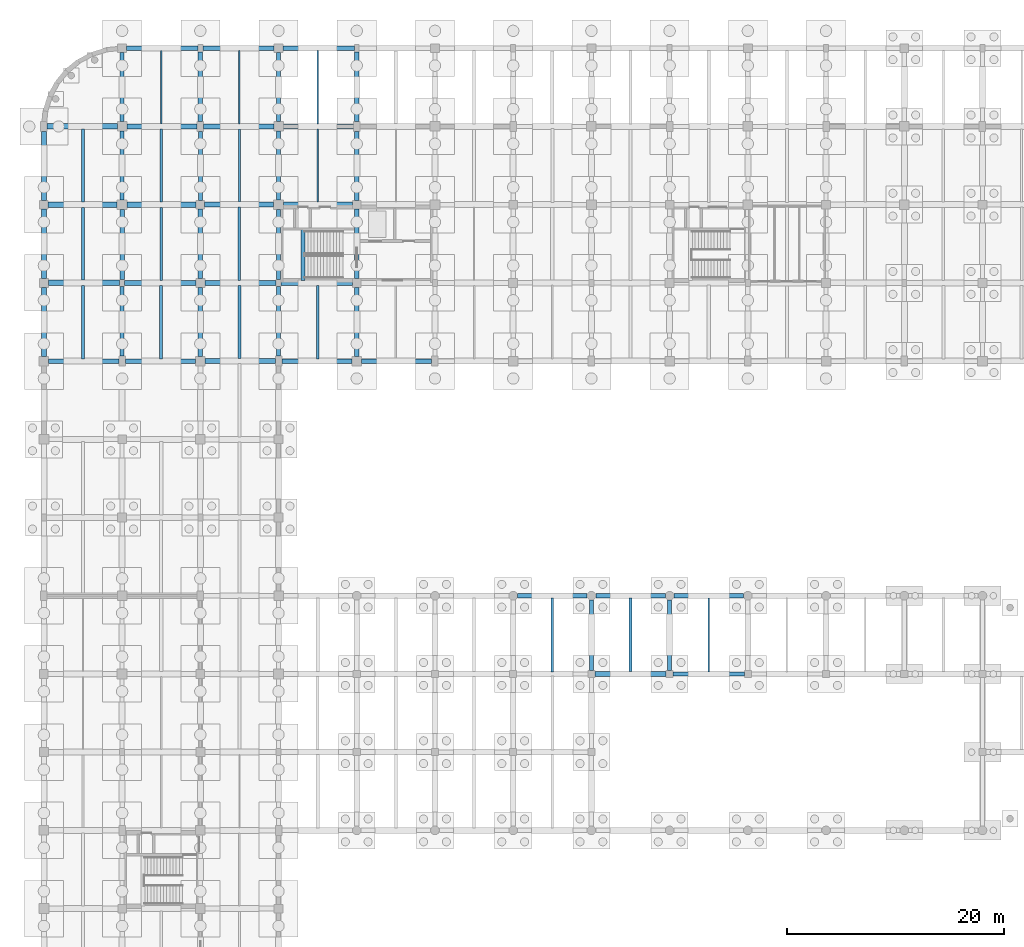
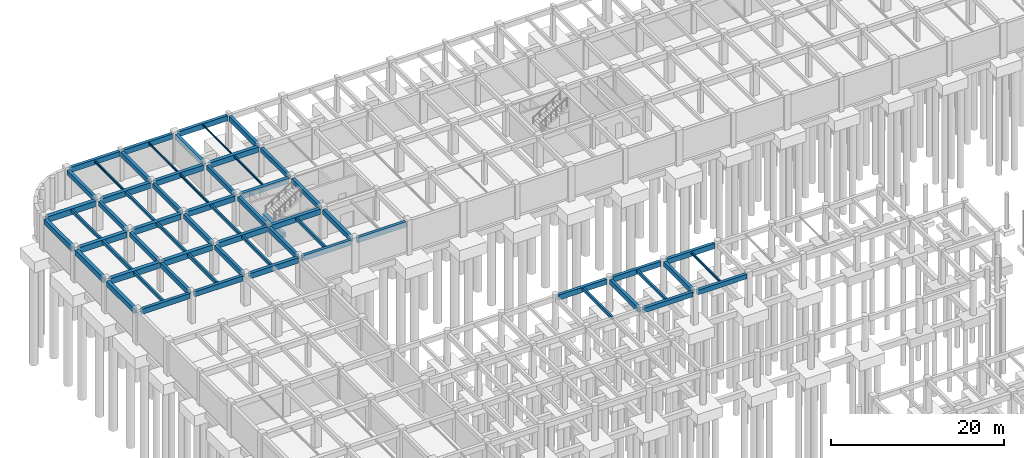
# One storey, part 29 of 47: 64 beams.
"""IFC4 building model written with IfcOpenShell, lengths in metres."""

from ifc_helpers import new_model, si_unit, direction, frame, origin, origin_2d, place, context, subcontext, project, spatial, rectangle, i_section, extrude, material, material_profile, profile_set, type_object, element, save


model = new_model("IFC4")

# Units and contexts
model_context = context("Model", 3, precision=1e-05, world=origin(), true_north=direction((0.0, 1.0)))
body_context = subcontext(model_context, "Body", "Model", "MODEL_VIEW")
ifc_project = project(units=[si_unit("LENGTHUNIT", "METRE"), si_unit("AREAUNIT", "SQUARE_METRE"), si_unit("VOLUMEUNIT", "CUBIC_METRE"), si_unit("PLANEANGLEUNIT", "RADIAN"), si_unit("MASSUNIT", "GRAM", prefix="KILO")], contexts=[model_context])

# Site, building, storey
site_placement = place(None, origin())
site = spatial("IfcSite", under=ifc_project, at=site_placement, CompositionType="ELEMENT")
building_placement = place(site_placement, origin())
building = spatial("IfcBuilding", under=site, at=building_placement, Name="Thalmaran Polytechnic", CompositionType="ELEMENT")
storey_placement = place(building_placement, frame((0.0, 0.0, -4.5)))
storey = spatial("IfcBuildingStorey", under=building, at=storey_placement, Name="B1", CompositionType="ELEMENT", Elevation=-4.5)

# Beams
ifc_material_1 = material(Name="Concrete C40/50", Category="concrete")
ifc_material_profile_1 = material_profile(ifc_material_1, rectangle(XDim=0.5, YDim=0.800048828125, at=origin_2d()), Name="RC 500x800")
ifc_profile_set_1 = profile_set([ifc_material_profile_1], Name="Concrete C40/50")
beam_type_1 = type_object("IfcBeamType", Name="BM-RC02", PredefinedType="BEAM", material=ifc_profile_set_1)
beam_1_placement = place(storey_placement, frame((0.409912109375, 100.800048828125, 3.77001953125), z_axis=(1.0, 0.0, 0.0), x_axis=(0.0, 1.0, 0.0)))
element("IfcBeam", 1, at=beam_1_placement, inside=storey, type_object=beam_type_1, Name="Grid Beam B02 B1 X(0,14)", PredefinedType="BEAM", context=body_context, shape_type="SweptSolid", body=[
    extrude(rectangle(XDim=0.5, YDim=0.800048828125, at=origin_2d()), origin(), (0.0, 0.0, 1.0), 6.565185546875),
])
beam_2_placement = place(storey_placement, frame((0.39990234375, 108.0, 3.77001953125), z_axis=(1.0, 0.0, 0.0), x_axis=(0.0, 1.0, 0.0)))
element("IfcBeam", 2, at=beam_2_placement, inside=storey, type_object=beam_type_1, Name="Grid Beam B02 B1 X(0,15)", PredefinedType="BEAM", context=body_context, shape_type="SweptSolid", body=[
    extrude(rectangle(XDim=0.5, YDim=0.800048828125, at=origin_2d()), origin(), (0.0, 0.0, 1.0), 6.35009765625),
])
beam_3_placement = place(storey_placement, frame((0.300048828125, 115.199951171875, 3.77001953125), z_axis=(1.0, 0.0, 0.0), x_axis=(0.0, 1.0, 0.0)))
element("IfcBeam", 3, at=beam_3_placement, inside=storey, type_object=beam_type_1, Name="Grid Beam B02 B1 X(0,16)", PredefinedType="BEAM", context=body_context, shape_type="SweptSolid", body=[
    extrude(rectangle(XDim=0.5, YDim=0.800048828125, at=origin_2d()), origin(), (0.0, 0.0, 1.0), 6.4599609375),
])
ifc_material_profile_2 = material_profile(ifc_material_1, rectangle(XDim=0.449951171875, YDim=0.75, at=origin_2d()), Name="RC 450x750")
ifc_profile_set_2 = profile_set([ifc_material_profile_2], Name="Concrete C40/50")
beam_type_2 = type_object("IfcBeamType", Name="BM-RC03", PredefinedType="BEAM", material=ifc_profile_set_2)
beam_4_placement = place(storey_placement, frame((14.840087890625, 93.60009765625, 3.794921875), z_axis=(1.0, 0.0, 0.0), x_axis=(0.0, 1.0, 0.0)))
element("IfcBeam", 4, at=beam_4_placement, inside=storey, type_object=beam_type_2, Name="Grid Beam B03 B1 X(2,13)", PredefinedType="BEAM", context=body_context, shape_type="SweptSolid", body=[
    extrude(rectangle(XDim=0.449951171875, YDim=0.75, at=origin_2d()), origin(), (0.0, 0.0, 1.0), 6.4599609375),
])
beam_5_placement = place(storey_placement, frame((14.81005859375, 100.800048828125, 3.794921875), z_axis=(1.0, 0.0, 0.0), x_axis=(0.0, 1.0, 0.0)))
element("IfcBeam", 5, at=beam_5_placement, inside=storey, type_object=beam_type_2, Name="Grid Beam B03 B1 X(2,14)", PredefinedType="BEAM", context=body_context, shape_type="SweptSolid", body=[
    extrude(rectangle(XDim=0.449951171875, YDim=0.75, at=origin_2d()), origin(), (0.0, 0.0, 1.0), 6.56494140625),
])
beam_6_placement = place(storey_placement, frame((14.800048828125, 108.0, 3.794921875), z_axis=(1.0, 0.0, 0.0), x_axis=(0.0, 1.0, 0.0)))
element("IfcBeam", 6, at=beam_6_placement, inside=storey, type_object=beam_type_2, Name="Grid Beam B03 B1 X(2,15)", PredefinedType="BEAM", context=body_context, shape_type="SweptSolid", body=[
    extrude(rectangle(XDim=0.449951171875, YDim=0.75, at=origin_2d()), origin(), (0.0, 0.0, 1.0), 6.349853515625),
])
beam_7_placement = place(storey_placement, frame((14.699951171875, 115.199951171875, 3.794921875), z_axis=(1.0, 0.0, 0.0), x_axis=(0.0, 1.0, 0.0)))
element("IfcBeam", 7, at=beam_7_placement, inside=storey, type_object=beam_type_2, Name="Grid Beam B03 B1 X(2,16)", PredefinedType="BEAM", context=body_context, shape_type="SweptSolid", body=[
    extrude(rectangle(XDim=0.449951171875, YDim=0.75, at=origin_2d()), origin(), (0.0, 0.0, 1.0), 6.4599609375),
])
ifc_material_profile_3 = material_profile(ifc_material_1, rectangle(XDim=0.39990234375, YDim=0.64990234375, at=origin_2d()), Name="RC 400x650")
ifc_profile_set_3 = profile_set([ifc_material_profile_3], Name="Concrete C40/50")
beam_type_3 = type_object("IfcBeamType", Name="BM-RC06", PredefinedType="BEAM", material=ifc_profile_set_3)
beam_8_placement = place(storey_placement, frame((57.925048828125, 64.800048828125, 3.864990234375), z_axis=(1.0, 0.0, 0.0), x_axis=(0.0, 1.0, 0.0)))
element("IfcBeam", 8, at=beam_8_placement, inside=storey, type_object=beam_type_3, Name="Grid Beam B06 B1 X(8,9)", PredefinedType="BEAM", context=body_context, shape_type="SweptSolid", body=[
    extrude(rectangle(XDim=0.39990234375, YDim=0.64990234375, at=origin_2d()), origin(), (0.0, 0.0, 1.0), 6.550048828125),
])
ifc_material_profile_4 = material_profile(ifc_material_1, rectangle(XDim=0.39990234375, YDim=0.6298828125, at=origin_2d()), Name="RC 400x630")
ifc_profile_set_4 = profile_set([ifc_material_profile_4], Name="Concrete C40/50")
beam_type_4 = type_object("IfcBeamType", Name="BM-RC07", PredefinedType="BEAM", material=ifc_profile_set_4)
beam_9_placement = place(storey_placement, frame((7.199951171875, 101.125, 3.85498046875), z_axis=(0.0, 1.0, 0.0), x_axis=(-1.0, 0.0, 0.0)))
element("IfcBeam", 9, at=beam_9_placement, inside=storey, type_object=beam_type_4, Name="Grid Beam B07 B1 Y(1,14)", PredefinedType="BEAM", context=body_context, shape_type="SweptSolid", body=[
    extrude(rectangle(XDim=0.39990234375, YDim=0.6298828125, at=origin_2d()), origin(), (0.0, 0.0, 1.0), 6.425048828125),
])
beam_10_placement = place(storey_placement, frame((14.39990234375, 101.2099609375, 3.85498046875), z_axis=(0.0, 1.0, 0.0), x_axis=(-1.0, 0.0, 0.0)))
element("IfcBeam", 10, at=beam_10_placement, inside=storey, type_object=beam_type_4, Name="Grid Beam B07 B1 Y(2,14)", PredefinedType="BEAM", context=body_context, shape_type="SweptSolid", body=[
    extrude(rectangle(XDim=0.39990234375, YDim=0.6298828125, at=origin_2d()), origin(), (0.0, 0.0, 1.0), 6.39013671875),
])
beam_11_placement = place(storey_placement, frame((21.60009765625, 101.125, 3.85498046875), z_axis=(0.0, 1.0, 0.0), x_axis=(-1.0, 0.0, 0.0)))
element("IfcBeam", 11, at=beam_11_placement, inside=storey, type_object=beam_type_4, Name="Grid Beam B07 B1 Y(3,14)", PredefinedType="BEAM", context=body_context, shape_type="SweptSolid", body=[
    extrude(rectangle(XDim=0.39990234375, YDim=0.6298828125, at=origin_2d()), origin(), (0.0, 0.0, 1.0), 6.425048828125),
])
beam_12_placement = place(storey_placement, frame((28.800048828125, 101.2099609375, 3.85498046875), z_axis=(0.0, 1.0, 0.0), x_axis=(-1.0, 0.0, 0.0)))
element("IfcBeam", 12, at=beam_12_placement, inside=storey, type_object=beam_type_4, Name="Grid Beam B07 B1 Y(4,14)", PredefinedType="BEAM", context=body_context, shape_type="SweptSolid", body=[
    extrude(rectangle(XDim=0.39990234375, YDim=0.6298828125, at=origin_2d()), origin(), (0.0, 0.0, 1.0), 6.39013671875),
])
ifc_material_profile_5 = material_profile(ifc_material_1, rectangle(XDim=0.389892578125, YDim=0.68505859375, at=origin_2d()), Name="RC 390x685")
ifc_profile_set_5 = profile_set([ifc_material_profile_5], Name="Concrete C40/50")
beam_type_5 = type_object("IfcBeamType", Name="BM-RC08", PredefinedType="BEAM", material=ifc_profile_set_5)
beam_13_placement = place(storey_placement, frame((7.199951171875, 115.639892578125, 3.827392578125), z_axis=(0.0, 1.0, 0.0), x_axis=(-1.0, 0.0, 0.0)))
element("IfcBeam", 13, at=beam_13_placement, inside=storey, type_object=beam_type_5, Name="Grid Beam B08 B1 Y(1,16)", PredefinedType="BEAM", context=body_context, shape_type="SweptSolid", body=[
    extrude(rectangle(XDim=0.389892578125, YDim=0.68505859375, at=origin_2d()), origin(), (0.0, 0.0, 1.0), 6.35009765625),
])
beam_14_placement = place(storey_placement, frame((14.39990234375, 115.64990234375, 3.827392578125), z_axis=(0.0, 1.0, 0.0), x_axis=(-1.0, 0.0, 0.0)))
element("IfcBeam", 14, at=beam_14_placement, inside=storey, type_object=beam_type_5, Name="Grid Beam B08 B1 Y(2,16)", PredefinedType="BEAM", context=body_context, shape_type="SweptSolid", body=[
    extrude(rectangle(XDim=0.389892578125, YDim=0.68505859375, at=origin_2d()), origin(), (0.0, 0.0, 1.0), 6.425048828125),
])
beam_15_placement = place(storey_placement, frame((21.60009765625, 115.639892578125, 3.827392578125), z_axis=(0.0, 1.0, 0.0), x_axis=(-1.0, 0.0, 0.0)))
element("IfcBeam", 15, at=beam_15_placement, inside=storey, type_object=beam_type_5, Name="Grid Beam B08 B1 Y(3,16)", PredefinedType="BEAM", context=body_context, shape_type="SweptSolid", body=[
    extrude(rectangle(XDim=0.389892578125, YDim=0.68505859375, at=origin_2d()), origin(), (0.0, 0.0, 1.0), 6.35009765625),
])
beam_16_placement = place(storey_placement, frame((28.800048828125, 115.64990234375, 3.827392578125), z_axis=(0.0, 1.0, 0.0), x_axis=(-1.0, 0.0, 0.0)))
element("IfcBeam", 16, at=beam_16_placement, inside=storey, type_object=beam_type_5, Name="Grid Beam B08 B1 Y(4,16)", PredefinedType="BEAM", context=body_context, shape_type="SweptSolid", body=[
    extrude(rectangle(XDim=0.389892578125, YDim=0.68505859375, at=origin_2d()), origin(), (0.0, 0.0, 1.0), 6.425048828125),
])
for number, where, z_axis, x_axis, name in (
    (17, (50.39990234375, 65.125, 3.847412109375), (0.0, 1.0, 0.0), (-1.0, 0.0, 0.0), "Grid Beam B08 B1 Y(7,9)"),
    (18, (57.60009765625, 65.125, 3.847412109375), (0.0, 1.0, 0.0), (-1.0, 0.0, 0.0), "Grid Beam B08 B1 Y(8,9)"),
):
    element("IfcBeam", number, at=place(storey_placement, frame(where, z_axis=z_axis, x_axis=x_axis)), inside=storey, type_object=beam_type_5, Name=name, PredefinedType="BEAM", context=body_context, shape_type="SweptSolid", body=[
        extrude(rectangle(XDim=0.389892578125, YDim=0.68505859375, at=origin_2d()), origin(), (0.0, 0.0, 1.0), 6.47509765625),
    ])
ifc_material_profile_6 = material_profile(ifc_material_1, rectangle(XDim=0.389892578125, YDim=0.695068359375, at=origin_2d()), Name="RC 390x695")
ifc_profile_set_6 = profile_set([ifc_material_profile_6], Name="Concrete C40/50")
beam_type_6 = type_object("IfcBeamType", Name="BM-RC10", PredefinedType="BEAM", material=ifc_profile_set_6)
beam_17_placement = place(storey_placement, frame((7.199951171875, 94.050048828125, 3.822509765625), z_axis=(0.0, 1.0, 0.0), x_axis=(-1.0, 0.0, 0.0)))
element("IfcBeam", 19, at=beam_17_placement, inside=storey, type_object=beam_type_6, Name="Grid Beam B10 B1 Y(1,13)", PredefinedType="BEAM", context=body_context, shape_type="SweptSolid", body=[
    extrude(rectangle(XDim=0.389892578125, YDim=0.695068359375, at=origin_2d()), origin(), (0.0, 0.0, 1.0), 6.425048828125),
])
beam_18_placement = place(storey_placement, frame((14.39990234375, 94.0400390625, 3.822509765625), z_axis=(0.0, 1.0, 0.0), x_axis=(-1.0, 0.0, 0.0)))
element("IfcBeam", 20, at=beam_18_placement, inside=storey, type_object=beam_type_6, Name="Grid Beam B10 B1 Y(2,13)", PredefinedType="BEAM", context=body_context, shape_type="SweptSolid", body=[
    extrude(rectangle(XDim=0.389892578125, YDim=0.695068359375, at=origin_2d()), origin(), (0.0, 0.0, 1.0), 6.349853515625),
])
beam_19_placement = place(storey_placement, frame((21.60009765625, 94.050048828125, 3.822509765625), z_axis=(0.0, 1.0, 0.0), x_axis=(-1.0, 0.0, 0.0)))
element("IfcBeam", 21, at=beam_19_placement, inside=storey, type_object=beam_type_6, Name="Grid Beam B10 B1 Y(3,13)", PredefinedType="BEAM", context=body_context, shape_type="SweptSolid", body=[
    extrude(rectangle(XDim=0.389892578125, YDim=0.695068359375, at=origin_2d()), origin(), (0.0, 0.0, 1.0), 6.425048828125),
])
beam_20_placement = place(storey_placement, frame((28.800048828125, 94.0400390625, 3.822509765625), z_axis=(0.0, 1.0, 0.0), x_axis=(-1.0, 0.0, 0.0)))
element("IfcBeam", 22, at=beam_20_placement, inside=storey, type_object=beam_type_6, Name="Grid Beam B10 B1 Y(4,13)", PredefinedType="BEAM", context=body_context, shape_type="SweptSolid", body=[
    extrude(rectangle(XDim=0.389892578125, YDim=0.695068359375, at=origin_2d()), origin(), (0.0, 0.0, 1.0), 6.349853515625),
])
beam_21_placement = place(storey_placement, frame((23.860107421875, 101.0400390625, 1.7900390625), z_axis=(0.0, 1.0, 0.0), x_axis=(-1.0, 0.0, 0.0)))
element("IfcBeam", 23, at=beam_21_placement, inside=storey, type_object=beam_type_6, Name="ST2 B1 Half-Landing Trimmer Beam", PredefinedType="BEAM", context=body_context, shape_type="SweptSolid", body=[
    extrude(rectangle(XDim=0.389892578125, YDim=0.695068359375, at=origin_2d()), origin(), (0.0, 0.0, 1.0), 4.699951171875),
])
ifc_material_profile_7 = material_profile(ifc_material_1, rectangle(XDim=0.280029296875, YDim=0.449951171875, at=origin_2d()), Name="RC 280x450")
ifc_profile_set_7 = profile_set([ifc_material_profile_7], Name="Concrete C40/50")
beam_type_7 = type_object("IfcBeamType", Name="BM-RC13", PredefinedType="JOIST", material=ifc_profile_set_7)
beam_22_placement = place(storey_placement, frame((3.60009765625, 101.050048828125, 3.945068359375), z_axis=(0.0, 1.0, 0.0), x_axis=(-1.0, 0.0, 0.0)))
element("IfcBeam", 24, at=beam_22_placement, inside=storey, type_object=beam_type_7, Name="Secondary Floor Rib RB03 B1 (0,14)", PredefinedType="JOIST", context=body_context, shape_type="SweptSolid", body=[
    extrude(rectangle(XDim=0.280029296875, YDim=0.449951171875, at=origin_2d()), origin(), (0.0, 0.0, 1.0), 6.699951171875),
])
beam_23_placement = place(storey_placement, frame((10.800048828125, 93.800048828125, 3.945068359375), z_axis=(0.0, 1.0, 0.0), x_axis=(-1.0, 0.0, 0.0)))
element("IfcBeam", 25, at=beam_23_placement, inside=storey, type_object=beam_type_7, Name="Secondary Floor Rib RB03 B1 (1,13)", PredefinedType="JOIST", context=body_context, shape_type="SweptSolid", body=[
    extrude(rectangle(XDim=0.280029296875, YDim=0.449951171875, at=origin_2d()), origin(), (0.0, 0.0, 1.0), 6.760009765625),
])
ifc_material_2 = material(Name="Steel S355", Category="steel")
ifc_material_profile_8 = material_profile(ifc_material_2, i_section(OverallWidth=0.159912109375, OverallDepth=0.330078125, WebThickness=0.007568359375, FlangeThickness=0.011474609375, at=origin_2d()), Name="IPE 330")
ifc_profile_set_8 = profile_set([ifc_material_profile_8], Name="Steel S355")
beam_type_8 = type_object("IfcBeamType", Name="BM-SJ02", PredefinedType="JOIST", material=ifc_profile_set_8)
beam_24_placement = place(storey_placement, frame((10.800048828125, 115.43994140625, 4.0048828125), z_axis=(0.0, 1.0, 0.0), x_axis=(-1.0, 0.0, 0.0)))
element("IfcBeam", 26, at=beam_24_placement, inside=storey, type_object=beam_type_8, Name="Secondary Floor Rib SJ02 B1 (1,16)", PredefinedType="JOIST", context=body_context, shape_type="SweptSolid", body=[
    extrude(i_section(OverallWidth=0.159912109375, OverallDepth=0.330078125, WebThickness=0.007568359375, FlangeThickness=0.011474609375, at=origin_2d()), origin(), (0.0, 0.0, 1.0), 6.760009765625),
])
beam_25_placement = place(storey_placement, frame((18.0, 108.22509765625, 4.0048828125), z_axis=(0.0, 1.0, 0.0), x_axis=(-1.0, 0.0, 0.0)))
element("IfcBeam", 27, at=beam_25_placement, inside=storey, type_object=beam_type_8, Name="Secondary Floor Rib SJ02 B1 (2,15)", PredefinedType="JOIST", context=body_context, shape_type="SweptSolid", body=[
    extrude(i_section(OverallWidth=0.159912109375, OverallDepth=0.330078125, WebThickness=0.007568359375, FlangeThickness=0.011474609375, at=origin_2d()), origin(), (0.0, 0.0, 1.0), 6.75),
])
beam_26_placement = place(storey_placement, frame((61.199951171875, 65.0, 4.02490234375), z_axis=(0.0, 1.0, 0.0), x_axis=(-1.0, 0.0, 0.0)))
element("IfcBeam", 28, at=beam_26_placement, inside=storey, type_object=beam_type_8, Name="Secondary Floor Rib SJ02 B1 (8,9)", PredefinedType="JOIST", context=body_context, shape_type="SweptSolid", body=[
    extrude(i_section(OverallWidth=0.159912109375, OverallDepth=0.330078125, WebThickness=0.007568359375, FlangeThickness=0.011474609375, at=origin_2d()), origin(), (0.0, 0.0, 1.0), 6.800048828125),
])
ifc_material_profile_9 = material_profile(ifc_material_2, i_section(OverallWidth=0.135009765625, OverallDepth=0.27001953125, WebThickness=0.006591796875, FlangeThickness=0.01025390625, at=origin_2d()), Name="IPE 270")
ifc_profile_set_9 = profile_set([ifc_material_profile_9], Name="Steel S355")
beam_type_9 = type_object("IfcBeamType", Name="BM-SJ03", PredefinedType="JOIST", material=ifc_profile_set_9)
beam_27_placement = place(storey_placement, frame((18.0, 115.425048828125, 4.034912109375), z_axis=(0.0, 1.0, 0.0), x_axis=(-1.0, 0.0, 0.0)))
element("IfcBeam", 29, at=beam_27_placement, inside=storey, type_object=beam_type_9, Name="Secondary Floor Rib SJ03 B1 (2,16)", PredefinedType="JOIST", context=body_context, shape_type="SweptSolid", body=[
    extrude(i_section(OverallWidth=0.135009765625, OverallDepth=0.27001953125, WebThickness=0.006591796875, FlangeThickness=0.01025390625, at=origin_2d()), origin(), (0.0, 0.0, 1.0), 6.77490234375),
])
beam_28_placement = place(storey_placement, frame((25.199951171875, 108.22998046875, 4.034912109375), z_axis=(0.0, 1.0, 0.0), x_axis=(-1.0, 0.0, 0.0)))
element("IfcBeam", 30, at=beam_28_placement, inside=storey, type_object=beam_type_9, Name="Secondary Floor Rib SJ03 B1 (3,15)", PredefinedType="JOIST", context=body_context, shape_type="SweptSolid", body=[
    extrude(i_section(OverallWidth=0.135009765625, OverallDepth=0.27001953125, WebThickness=0.006591796875, FlangeThickness=0.01025390625, at=origin_2d()), origin(), (0.0, 0.0, 1.0), 6.739990234375),
])
ifc_material_profile_10 = material_profile(ifc_material_2, i_section(OverallWidth=0.110107421875, OverallDepth=0.219970703125, WebThickness=0.005859375, FlangeThickness=0.00927734375, at=origin_2d()), Name="IPE 220")
ifc_profile_set_10 = profile_set([ifc_material_profile_10], Name="Steel S355")
beam_type_10 = type_object("IfcBeamType", Name="BM-SJ04", PredefinedType="JOIST", material=ifc_profile_set_10)
beam_29_placement = place(storey_placement, frame((25.199951171875, 115.429931640625, 4.06005859375), z_axis=(0.0, 1.0, 0.0), x_axis=(-1.0, 0.0, 0.0)))
element("IfcBeam", 31, at=beam_29_placement, inside=storey, type_object=beam_type_10, Name="Secondary Floor Rib SJ04 B1 (3,16)", PredefinedType="JOIST", context=body_context, shape_type="SweptSolid", body=[
    extrude(i_section(OverallWidth=0.110107421875, OverallDepth=0.219970703125, WebThickness=0.005859375, FlangeThickness=0.00927734375, at=origin_2d()), origin(), (0.0, 0.0, 1.0), 6.77001953125),
])
ifc_material_profile_11 = material_profile(ifc_material_1, rectangle(XDim=0.39990234375, YDim=0.719970703125, at=origin_2d()), Name="RC 400x720")
ifc_profile_set_11 = profile_set([ifc_material_profile_11], Name="Concrete C40/50")
beam_type_11 = type_object("IfcBeamType", Name="BM-SP01", PredefinedType="SPANDREL", material=ifc_profile_set_11)
for number, where, z_axis, x_axis, name in (
    (32, (0.43994140625, 93.60009765625, 3.81005859375), (1.0, 0.0, 0.0), (0.0, 1.0, 0.0), "Grid Beam SP01 B1 X(0,13)"),
    (33, (7.5, 93.60009765625, 3.81005859375), (1.0, 0.0, 0.0), (0.0, 1.0, 0.0), "Grid Beam SP01 B1 X(1,13)"),
):
    element("IfcBeam", number, at=place(storey_placement, frame(where, z_axis=z_axis, x_axis=x_axis)), inside=storey, type_object=beam_type_11, Name=name, PredefinedType="SPANDREL", context=body_context, shape_type="SweptSolid", body=[
        extrude(rectangle(XDim=0.39990234375, YDim=0.719970703125, at=origin_2d()), origin(), (0.0, 0.0, 1.0), 6.4599609375),
    ])
for number, where, z_axis, x_axis, name in (
    (34, (7.610107421875, 122.39990234375, 3.81005859375), (1.0, 0.0, 0.0), (0.0, 1.0, 0.0), "Grid Beam SP01 B1 X(1,17)"),
    (35, (14.625, 122.39990234375, 3.81005859375), (1.0, 0.0, 0.0), (0.0, 1.0, 0.0), "Grid Beam SP01 B1 X(2,17)"),
):
    element("IfcBeam", number, at=place(storey_placement, frame(where, z_axis=z_axis, x_axis=x_axis)), inside=storey, type_object=beam_type_11, Name=name, PredefinedType="SPANDREL", context=body_context, shape_type="SweptSolid", body=[
        extrude(rectangle(XDim=0.39990234375, YDim=0.719970703125, at=origin_2d()), origin(), (0.0, 0.0, 1.0), 6.56494140625),
    ])
beam_30_placement = place(storey_placement, frame((21.89990234375, 93.60009765625, 3.81005859375), z_axis=(1.0, 0.0, 0.0), x_axis=(0.0, 1.0, 0.0)))
element("IfcBeam", 36, at=beam_30_placement, inside=storey, type_object=beam_type_11, Name="Grid Beam SP01 B1 X(3,13)", PredefinedType="SPANDREL", context=body_context, shape_type="SweptSolid", body=[
    extrude(rectangle(XDim=0.39990234375, YDim=0.719970703125, at=origin_2d()), origin(), (0.0, 0.0, 1.0), 6.460205078125),
])
beam_31_placement = place(storey_placement, frame((22.010009765625, 122.39990234375, 3.81005859375), z_axis=(1.0, 0.0, 0.0), x_axis=(0.0, 1.0, 0.0)))
element("IfcBeam", 37, at=beam_31_placement, inside=storey, type_object=beam_type_11, Name="Grid Beam SP01 B1 X(3,17)", PredefinedType="SPANDREL", context=body_context, shape_type="SweptSolid", body=[
    extrude(rectangle(XDim=0.39990234375, YDim=0.719970703125, at=origin_2d()), origin(), (0.0, 0.0, 1.0), 6.56494140625),
])
beam_32_placement = place(storey_placement, frame((29.239990234375, 93.60009765625, 3.81005859375), z_axis=(1.0, 0.0, 0.0), x_axis=(0.0, 1.0, 0.0)))
element("IfcBeam", 38, at=beam_32_placement, inside=storey, type_object=beam_type_11, Name="Grid Beam SP01 B1 X(4,13)", PredefinedType="SPANDREL", context=body_context, shape_type="SweptSolid", body=[
    extrude(rectangle(XDim=0.39990234375, YDim=0.719970703125, at=origin_2d()), origin(), (0.0, 0.0, 1.0), 6.4599609375),
])
for number, where, z_axis, x_axis, name in (
    (39, (43.60009765625, 72.0, 3.830078125), (1.0, 0.0, 0.0), (0.0, 1.0, 0.0), "Grid Beam SP01 B1 X(6,10)"),
    (40, (50.800048828125, 72.0, 3.830078125), (1.0, 0.0, 0.0), (0.0, 1.0, 0.0), "Grid Beam SP01 B1 X(7,10)"),
    (41, (58.0, 72.0, 3.830078125), (1.0, 0.0, 0.0), (0.0, 1.0, 0.0), "Grid Beam SP01 B1 X(8,10)"),
):
    element("IfcBeam", number, at=place(storey_placement, frame(where, z_axis=z_axis, x_axis=x_axis)), inside=storey, type_object=beam_type_11, Name=name, PredefinedType="SPANDREL", context=body_context, shape_type="SweptSolid", body=[
        extrude(rectangle(XDim=0.39990234375, YDim=0.719970703125, at=origin_2d()), origin(), (0.0, 0.0, 1.0), 6.39990234375),
    ])
ifc_material_profile_12 = material_profile(ifc_material_1, rectangle(XDim=0.449951171875, YDim=0.7548828125, at=origin_2d()), Name="RC 450x755")
ifc_profile_set_12 = profile_set([ifc_material_profile_12], Name="Concrete C40/50")
beam_type_12 = type_object("IfcBeamType", Name="BM-SP02", PredefinedType="SPANDREL", material=ifc_profile_set_12)
beam_33_placement = place(storey_placement, frame((0.0, 94.0400390625, 3.79248046875), z_axis=(0.0, 1.0, 0.0), x_axis=(-1.0, 0.0, 0.0)))
element("IfcBeam", 42, at=beam_33_placement, inside=storey, type_object=beam_type_12, Name="Grid Beam SP02 B1 Y(0,13)", PredefinedType="SPANDREL", context=body_context, shape_type="SweptSolid", body=[
    extrude(rectangle(XDim=0.449951171875, YDim=0.7548828125, at=origin_2d()), origin(), (0.0, 0.0, 1.0), 6.349853515625),
])
beam_34_placement = place(storey_placement, frame((0.0, 101.2099609375, 3.79248046875), z_axis=(0.0, 1.0, 0.0), x_axis=(-1.0, 0.0, 0.0)))
element("IfcBeam", 43, at=beam_34_placement, inside=storey, type_object=beam_type_12, Name="Grid Beam SP02 B1 Y(0,14)", PredefinedType="SPANDREL", context=body_context, shape_type="SweptSolid", body=[
    extrude(rectangle(XDim=0.449951171875, YDim=0.7548828125, at=origin_2d()), origin(), (0.0, 0.0, 1.0), 6.39013671875),
])
beam_35_placement = place(storey_placement, frame((0.0, 108.39990234375, 3.79248046875), z_axis=(0.0, 1.0, 0.0), x_axis=(-1.0, 0.0, 0.0)))
element("IfcBeam", 44, at=beam_35_placement, inside=storey, type_object=beam_type_12, Name="Grid Beam SP02 B1 Y(0,15)", PredefinedType="SPANDREL", context=body_context, shape_type="SweptSolid", body=[
    extrude(rectangle(XDim=0.449951171875, YDim=0.7548828125, at=origin_2d()), origin(), (0.0, 0.0, 1.0), 6.35009765625),
])
ifc_material_profile_13 = material_profile(ifc_material_1, rectangle(XDim=0.47998046875, YDim=0.780029296875, at=origin_2d()), Name="RC 480x780")
ifc_profile_set_13 = profile_set([ifc_material_profile_13], Name="Concrete C40/50")
beam_type_13 = type_object("IfcBeamType", Name="BM-ZB01", PredefinedType="BEAM", material=ifc_profile_set_13)
beam_36_placement = place(storey_placement, frame((7.425048828125, 100.800048828125, 3.780029296875), z_axis=(1.0, 0.0, 0.0), x_axis=(0.0, 1.0, 0.0)))
element("IfcBeam", 45, at=beam_36_placement, inside=storey, type_object=beam_type_13, Name="Grid Beam ZB01 B1 X(1,14)", PredefinedType="BEAM", context=body_context, shape_type="SweptSolid", body=[
    extrude(rectangle(XDim=0.47998046875, YDim=0.780029296875, at=origin_2d()), origin(), (0.0, 0.0, 1.0), 6.56494140625),
])
beam_37_placement = place(storey_placement, frame((7.64990234375, 108.0, 3.780029296875), z_axis=(1.0, 0.0, 0.0), x_axis=(0.0, 1.0, 0.0)))
element("IfcBeam", 46, at=beam_37_placement, inside=storey, type_object=beam_type_13, Name="Grid Beam ZB01 B1 X(1,15)", PredefinedType="BEAM", context=body_context, shape_type="SweptSolid", body=[
    extrude(rectangle(XDim=0.47998046875, YDim=0.780029296875, at=origin_2d()), origin(), (0.0, 0.0, 1.0), 6.35009765625),
])
beam_38_placement = place(storey_placement, frame((7.639892578125, 115.199951171875, 3.780029296875), z_axis=(1.0, 0.0, 0.0), x_axis=(0.0, 1.0, 0.0)))
element("IfcBeam", 47, at=beam_38_placement, inside=storey, type_object=beam_type_13, Name="Grid Beam ZB01 B1 X(1,16)", PredefinedType="BEAM", context=body_context, shape_type="SweptSolid", body=[
    extrude(rectangle(XDim=0.47998046875, YDim=0.780029296875, at=origin_2d()), origin(), (0.0, 0.0, 1.0), 6.460205078125),
])
ifc_material_profile_14 = material_profile(ifc_material_1, rectangle(XDim=0.4599609375, YDim=0.739990234375, at=origin_2d()), Name="RC 460x740")
ifc_profile_set_14 = profile_set([ifc_material_profile_14], Name="Concrete C40/50")
beam_type_14 = type_object("IfcBeamType", Name="BM-ZB02", PredefinedType="BEAM", material=ifc_profile_set_14)
beam_39_placement = place(storey_placement, frame((21.824951171875, 100.800048828125, 3.800048828125), z_axis=(1.0, 0.0, 0.0), x_axis=(0.0, 1.0, 0.0)))
element("IfcBeam", 48, at=beam_39_placement, inside=storey, type_object=beam_type_14, Name="Grid Beam ZB02 B1 X(3,14)", PredefinedType="BEAM", context=body_context, shape_type="SweptSolid", body=[
    extrude(rectangle(XDim=0.4599609375, YDim=0.739990234375, at=origin_2d()), origin(), (0.0, 0.0, 1.0), 6.56494140625),
])
beam_40_placement = place(storey_placement, frame((22.050048828125, 108.0, 3.800048828125), z_axis=(1.0, 0.0, 0.0), x_axis=(0.0, 1.0, 0.0)))
element("IfcBeam", 49, at=beam_40_placement, inside=storey, type_object=beam_type_14, Name="Grid Beam ZB02 B1 X(3,15)", PredefinedType="BEAM", context=body_context, shape_type="SweptSolid", body=[
    extrude(rectangle(XDim=0.4599609375, YDim=0.739990234375, at=origin_2d()), origin(), (0.0, 0.0, 1.0), 6.349853515625),
])
beam_41_placement = place(storey_placement, frame((22.0400390625, 115.199951171875, 3.800048828125), z_axis=(1.0, 0.0, 0.0), x_axis=(0.0, 1.0, 0.0)))
element("IfcBeam", 50, at=beam_41_placement, inside=storey, type_object=beam_type_14, Name="Grid Beam ZB02 B1 X(3,16)", PredefinedType="BEAM", context=body_context, shape_type="SweptSolid", body=[
    extrude(rectangle(XDim=0.4599609375, YDim=0.739990234375, at=origin_2d()), origin(), (0.0, 0.0, 1.0), 6.4599609375),
])
ifc_material_profile_15 = material_profile(ifc_material_1, rectangle(XDim=0.419921875, YDim=0.659912109375, at=origin_2d()), Name="RC 420x660")
ifc_profile_set_15 = profile_set([ifc_material_profile_15], Name="Concrete C40/50")
beam_type_15 = type_object("IfcBeamType", Name="BM-ZB04", PredefinedType="BEAM", material=ifc_profile_set_15)
beam_42_placement = place(storey_placement, frame((50.72509765625, 64.800048828125, 3.860107421875), z_axis=(1.0, 0.0, 0.0), x_axis=(0.0, 1.0, 0.0)))
element("IfcBeam", 51, at=beam_42_placement, inside=storey, type_object=beam_type_15, Name="Grid Beam ZB04 B1 X(7,9)", PredefinedType="BEAM", context=body_context, shape_type="SweptSolid", body=[
    extrude(rectangle(XDim=0.419921875, YDim=0.659912109375, at=origin_2d()), origin(), (0.0, 0.0, 1.0), 6.5498046875),
])
ifc_material_profile_16 = material_profile(ifc_material_1, rectangle(XDim=0.3798828125, YDim=0.635009765625, at=origin_2d()), Name="RC 380x635")
ifc_profile_set_16 = profile_set([ifc_material_profile_16], Name="Concrete C40/50")
beam_type_16 = type_object("IfcBeamType", Name="BM-ZB06", PredefinedType="BEAM", material=ifc_profile_set_16)
beam_43_placement = place(storey_placement, frame((7.199951171875, 108.449951171875, 3.8525390625), z_axis=(0.0, 1.0, 0.0), x_axis=(-1.0, 0.0, 0.0)))
element("IfcBeam", 52, at=beam_43_placement, inside=storey, type_object=beam_type_16, Name="Grid Beam ZB06 B1 Y(1,15)", PredefinedType="BEAM", context=body_context, shape_type="SweptSolid", body=[
    extrude(rectangle(XDim=0.3798828125, YDim=0.635009765625, at=origin_2d()), origin(), (0.0, 0.0, 1.0), 6.31005859375),
])
beam_44_placement = place(storey_placement, frame((14.39990234375, 108.39990234375, 3.8525390625), z_axis=(0.0, 1.0, 0.0), x_axis=(-1.0, 0.0, 0.0)))
element("IfcBeam", 53, at=beam_44_placement, inside=storey, type_object=beam_type_16, Name="Grid Beam ZB06 B1 Y(2,15)", PredefinedType="BEAM", context=body_context, shape_type="SweptSolid", body=[
    extrude(rectangle(XDim=0.3798828125, YDim=0.635009765625, at=origin_2d()), origin(), (0.0, 0.0, 1.0), 6.35009765625),
])
beam_45_placement = place(storey_placement, frame((21.60009765625, 108.449951171875, 3.8525390625), z_axis=(0.0, 1.0, 0.0), x_axis=(-1.0, 0.0, 0.0)))
element("IfcBeam", 54, at=beam_45_placement, inside=storey, type_object=beam_type_16, Name="Grid Beam ZB06 B1 Y(3,15)", PredefinedType="BEAM", context=body_context, shape_type="SweptSolid", body=[
    extrude(rectangle(XDim=0.3798828125, YDim=0.635009765625, at=origin_2d()), origin(), (0.0, 0.0, 1.0), 6.31005859375),
])
beam_46_placement = place(storey_placement, frame((28.800048828125, 108.39990234375, 3.8525390625), z_axis=(0.0, 1.0, 0.0), x_axis=(-1.0, 0.0, 0.0)))
element("IfcBeam", 55, at=beam_46_placement, inside=storey, type_object=beam_type_16, Name="Grid Beam ZB06 B1 Y(4,15)", PredefinedType="BEAM", context=body_context, shape_type="SweptSolid", body=[
    extrude(rectangle(XDim=0.3798828125, YDim=0.635009765625, at=origin_2d()), origin(), (0.0, 0.0, 1.0), 6.35009765625),
])
ifc_material_profile_17 = material_profile(ifc_material_1, rectangle(XDim=0.260009765625, YDim=0.43994140625, at=origin_2d()), Name="RC 260x440")
ifc_profile_set_17 = profile_set([ifc_material_profile_17], Name="Concrete C40/50")
beam_type_17 = type_object("IfcBeamType", Name="BM-ZJ02", PredefinedType="JOIST", material=ifc_profile_set_17)
beam_47_placement = place(storey_placement, frame((3.60009765625, 93.800048828125, 3.949951171875), z_axis=(0.0, 1.0, 0.0), x_axis=(-1.0, 0.0, 0.0)))
element("IfcBeam", 56, at=beam_47_placement, inside=storey, type_object=beam_type_17, Name="Secondary Floor Rib ZJ02 B1 (0,13)", PredefinedType="JOIST", context=body_context, shape_type="SweptSolid", body=[
    extrude(rectangle(XDim=0.260009765625, YDim=0.43994140625, at=origin_2d()), origin(), (0.0, 0.0, 1.0), 6.75),
])
ifc_material_profile_18 = material_profile(ifc_material_1, rectangle(XDim=0.25, YDim=0.419921875, at=origin_2d()), Name="RC 250x420")
ifc_profile_set_18 = profile_set([ifc_material_profile_18], Name="Concrete C40/50")
beam_type_18 = type_object("IfcBeamType", Name="BM-ZJ03", PredefinedType="JOIST", material=ifc_profile_set_18)
beam_48_placement = place(storey_placement, frame((3.60009765625, 108.25, 3.9599609375), z_axis=(0.0, 1.0, 0.0), x_axis=(-1.0, 0.0, 0.0)))
element("IfcBeam", 57, at=beam_48_placement, inside=storey, type_object=beam_type_18, Name="Secondary Floor Rib ZJ03 B1 (0,15)", PredefinedType="JOIST", context=body_context, shape_type="SweptSolid", body=[
    extrude(rectangle(XDim=0.25, YDim=0.419921875, at=origin_2d()), origin(), (0.0, 0.0, 1.0), 6.699951171875),
])
beam_49_placement = place(storey_placement, frame((10.800048828125, 101.0400390625, 3.9599609375), z_axis=(0.0, 1.0, 0.0), x_axis=(-1.0, 0.0, 0.0)))
element("IfcBeam", 58, at=beam_49_placement, inside=storey, type_object=beam_type_18, Name="Secondary Floor Rib ZJ03 B1 (1,14)", PredefinedType="JOIST", context=body_context, shape_type="SweptSolid", body=[
    extrude(rectangle(XDim=0.25, YDim=0.419921875, at=origin_2d()), origin(), (0.0, 0.0, 1.0), 6.719970703125),
])
beam_50_placement = place(storey_placement, frame((18.0, 93.824951171875, 3.9599609375), z_axis=(0.0, 1.0, 0.0), x_axis=(-1.0, 0.0, 0.0)))
element("IfcBeam", 59, at=beam_50_placement, inside=storey, type_object=beam_type_18, Name="Secondary Floor Rib ZJ03 B1 (2,13)", PredefinedType="JOIST", context=body_context, shape_type="SweptSolid", body=[
    extrude(rectangle(XDim=0.25, YDim=0.419921875, at=origin_2d()), origin(), (0.0, 0.0, 1.0), 6.75),
])
beam_51_placement = place(storey_placement, frame((46.800048828125, 65.0, 3.97998046875), z_axis=(0.0, 1.0, 0.0), x_axis=(-1.0, 0.0, 0.0)))
element("IfcBeam", 60, at=beam_51_placement, inside=storey, type_object=beam_type_18, Name="Secondary Floor Rib ZJ03 B1 (6,9)", PredefinedType="JOIST", context=body_context, shape_type="SweptSolid", body=[
    extrude(rectangle(XDim=0.25, YDim=0.419921875, at=origin_2d()), origin(), (0.0, 0.0, 1.0), 6.800048828125),
])
ifc_material_profile_19 = material_profile(ifc_material_1, rectangle(XDim=0.239990234375, YDim=0.39990234375, at=origin_2d()), Name="RC 240x400")
ifc_profile_set_19 = profile_set([ifc_material_profile_19], Name="Concrete C40/50")
beam_type_19 = type_object("IfcBeamType", Name="BM-ZJ04", PredefinedType="JOIST", material=ifc_profile_set_19)
beam_52_placement = place(storey_placement, frame((10.800048828125, 108.239990234375, 3.969970703125), z_axis=(0.0, 1.0, 0.0), x_axis=(-1.0, 0.0, 0.0)))
element("IfcBeam", 61, at=beam_52_placement, inside=storey, type_object=beam_type_19, Name="Secondary Floor Rib ZJ04 B1 (1,15)", PredefinedType="JOIST", context=body_context, shape_type="SweptSolid", body=[
    extrude(rectangle(XDim=0.239990234375, YDim=0.39990234375, at=origin_2d()), origin(), (0.0, 0.0, 1.0), 6.719970703125),
])
beam_53_placement = place(storey_placement, frame((18.0, 101.02490234375, 3.969970703125), z_axis=(0.0, 1.0, 0.0), x_axis=(-1.0, 0.0, 0.0)))
element("IfcBeam", 62, at=beam_53_placement, inside=storey, type_object=beam_type_19, Name="Secondary Floor Rib ZJ04 B1 (2,14)", PredefinedType="JOIST", context=body_context, shape_type="SweptSolid", body=[
    extrude(rectangle(XDim=0.239990234375, YDim=0.39990234375, at=origin_2d()), origin(), (0.0, 0.0, 1.0), 6.75),
])
beam_54_placement = place(storey_placement, frame((25.199951171875, 93.800048828125, 3.969970703125), z_axis=(0.0, 1.0, 0.0), x_axis=(-1.0, 0.0, 0.0)))
element("IfcBeam", 63, at=beam_54_placement, inside=storey, type_object=beam_type_19, Name="Secondary Floor Rib ZJ04 B1 (3,13)", PredefinedType="JOIST", context=body_context, shape_type="SweptSolid", body=[
    extrude(rectangle(XDim=0.239990234375, YDim=0.39990234375, at=origin_2d()), origin(), (0.0, 0.0, 1.0), 6.77001953125),
])
beam_55_placement = place(storey_placement, frame((54.0, 65.010009765625, 3.989990234375), z_axis=(0.0, 1.0, 0.0), x_axis=(-1.0, 0.0, 0.0)))
element("IfcBeam", 64, at=beam_55_placement, inside=storey, type_object=beam_type_19, Name="Secondary Floor Rib ZJ04 B1 (7,9)", PredefinedType="JOIST", context=body_context, shape_type="SweptSolid", body=[
    extrude(rectangle(XDim=0.239990234375, YDim=0.39990234375, at=origin_2d()), origin(), (0.0, 0.0, 1.0), 6.7900390625),
])

save(model, "model.ifc")
